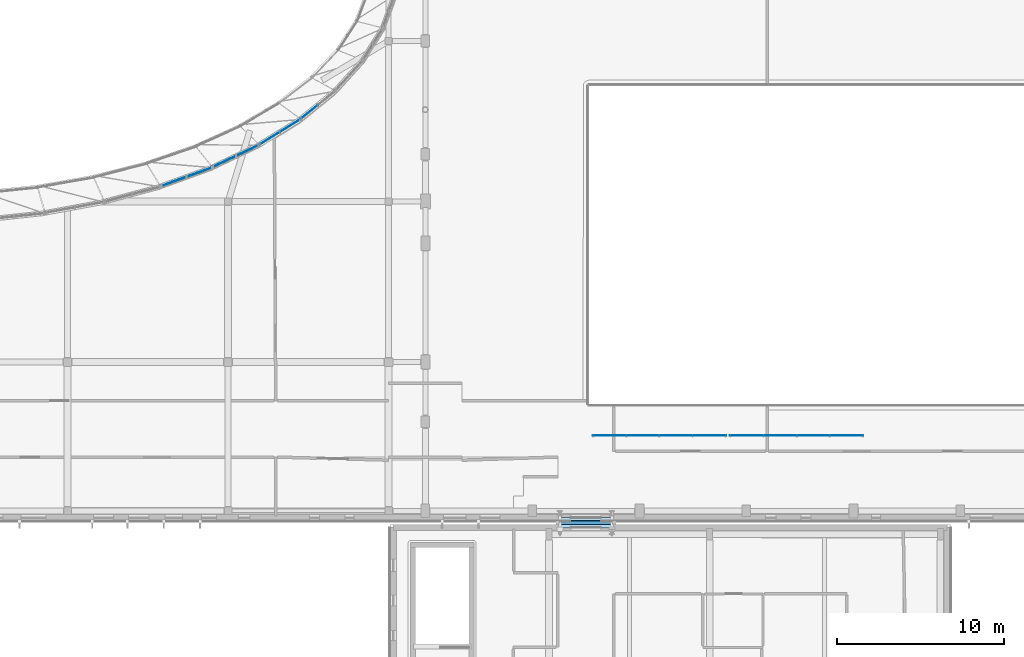
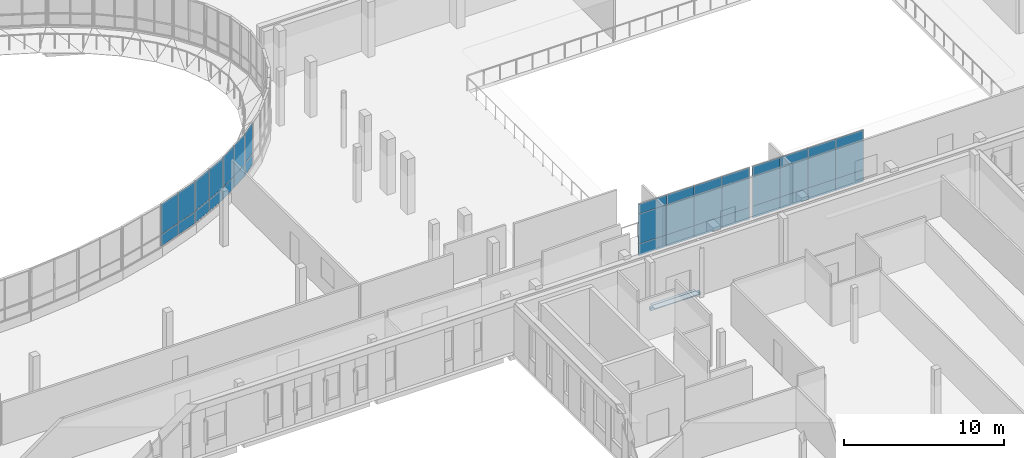
# One storey, part 33 of 84: 40 plates, 1 slab, 6 elements without a shape of their own.
"""IFC4 building model written with IfcOpenShell, lengths in metres."""

from ifc_helpers import new_model, si_unit, direction, frame, origin, origin_2d, place, context, subcontext, project, spatial, polyline, rectangle, outline, extrude, material, layer, layer_set, type_object, element, aggregate, save


model = new_model("IFC4")

# Units and contexts
model_context = context("Model", 3, precision=1e-05, world=origin(), true_north=direction((0.0, 1.0)))
body_context = subcontext(model_context, "Body", "Model", "MODEL_VIEW")
ifc_project = project(units=[si_unit("LENGTHUNIT", "METRE"), si_unit("AREAUNIT", "SQUARE_METRE"), si_unit("VOLUMEUNIT", "CUBIC_METRE"), si_unit("PLANEANGLEUNIT", "RADIAN"), si_unit("MASSUNIT", "GRAM", prefix="KILO")], contexts=[model_context])

# Site, building, storey
site_placement = place(None, origin())
site = spatial("IfcSite", under=ifc_project, at=site_placement, CompositionType="ELEMENT")
building_placement = place(site_placement, origin())
building = spatial("IfcBuilding", under=site, at=building_placement, Name="Mzevani Central Library", CompositionType="ELEMENT")
storey_placement = place(building_placement, frame((0.0, 0.0, 5.39990234375)))
storey = spatial("IfcBuildingStorey", under=building, at=storey_placement, Name="L01", CompositionType="ELEMENT", Elevation=5.39990234375)

# Curtain wall, plates
ifc_material_1 = material(Name="Thermally broken aluminium and Low-E triple glazing", Category="aluminium")
curtain_wall_type_1 = type_object("IfcCurtainWallType", Name="Elliptical Court Unitised Curtain Wall", PredefinedType="NOTDEFINED", material=ifc_material_1)
curtain_wall_1_placement = place(storey_placement, origin())
curtain_wall_1 = element("IfcCurtainWall", 1, at=curtain_wall_1_placement, inside=storey, type_object=curtain_wall_type_1, Name="L01 Elliptical Court Curtain Wall 41", PredefinedType="NOTDEFINED")
ifc_material_2 = material(Name="Thermally broken aluminium AW-6060", Category="aluminium")
ifc_layer_1 = layer(ifc_material_2, 0.0419921875, Name="CW Insulated Spandrel Panel 42")
ifc_layer_set_1 = layer_set([ifc_layer_1], Name="Thermally broken aluminium AW-6060")
plate_type_1 = type_object("IfcPlateType", Name="CW Insulated Spandrel Panel 42", PredefinedType="CURTAIN_PANEL", material=ifc_layer_set_1)
plate_1_placement = place(storey_placement, frame((99.14306640625, 62.7939453125, 0.72021484375), z_axis=(0.0, 0.0, 1.0), x_axis=(0.940105611205, 0.340883322826, 0.0)))
plate_1 = element("IfcPlate", 2, at=plate_1_placement, type_object=plate_type_1, Name="L01 Elliptical Court Curtain Wall 41 Spandrel Panel 1", PredefinedType="CURTAIN_PANEL", context=body_context, shape_type="SweptSolid", body=[
    extrude(rectangle(XDim=1.642822265625, YDim=0.0419921875, at=origin_2d()), origin(), (0.0, 0.0, 1.0), 0.89990234375),
])
plate_2_placement = place(storey_placement, frame((100.6875, 63.35400390625, 0.72021484375), z_axis=(0.0, 0.0, 1.0), x_axis=(0.940105611205, 0.340883322826, 0.0)))
plate_2 = element("IfcPlate", 3, at=plate_2_placement, type_object=plate_type_1, Name="L01 Elliptical Court Curtain Wall 41 Spandrel Panel 3", PredefinedType="CURTAIN_PANEL", context=body_context, shape_type="SweptSolid", body=[
    extrude(rectangle(XDim=1.642822265625, YDim=0.0419921875, at=origin_2d()), origin(), (0.0, 0.0, 1.0), 0.89990234375),
])

curtain_wall_2_placement = place(storey_placement, origin())
curtain_wall_2 = element("IfcCurtainWall", 4, at=curtain_wall_2_placement, inside=storey, type_object=curtain_wall_type_1, Name="L01 Elliptical Court Curtain Wall 42", PredefinedType="NOTDEFINED")
plate_3_placement = place(storey_placement, frame((102.174072265625, 63.989013671875, 0.72021484375), z_axis=(0.0, 0.0, 1.0), x_axis=(0.902948631939, 0.429748493982, 0.0)))
plate_3 = element("IfcPlate", 5, at=plate_3_placement, type_object=plate_type_1, Name="L01 Elliptical Court Curtain Wall 42 Spandrel Panel 1", PredefinedType="CURTAIN_PANEL", context=body_context, shape_type="SweptSolid", body=[
    extrude(rectangle(XDim=1.546630859375, YDim=0.0419921875, at=origin_2d()), origin(), (0.0, 0.0, 1.0), 0.89990234375),
])
plate_4_placement = place(storey_placement, frame((103.570556640625, 64.65380859375, 0.72021484375), z_axis=(0.0, 0.0, 1.0), x_axis=(0.902948631939, 0.429748493982, 0.0)))
plate_4 = element("IfcPlate", 6, at=plate_4_placement, type_object=plate_type_1, Name="L01 Elliptical Court Curtain Wall 42 Spandrel Panel 3", PredefinedType="CURTAIN_PANEL", context=body_context, shape_type="SweptSolid", body=[
    extrude(rectangle(XDim=1.546630859375, YDim=0.0419921875, at=origin_2d()), origin(), (0.0, 0.0, 1.0), 0.89990234375),
])

curtain_wall_type_2 = type_object("IfcCurtainWallType", Name="Reading Hall Northlight Curtain Wall", PredefinedType="NOTDEFINED", material=ifc_material_1)
curtain_wall_3_placement = place(storey_placement, origin())
curtain_wall_3 = element("IfcCurtainWall", 7, at=curtain_wall_3_placement, inside=storey, type_object=curtain_wall_type_2, Name="L01 Elliptical Court Curtain Wall 43", PredefinedType="NOTDEFINED")
plate_5_placement = place(storey_placement, frame((104.892822265625, 65.38623046875, 0.72021484375), z_axis=(0.0, 0.0, 1.0), x_axis=(0.850357735448, 0.526205018755, 0.0)))
plate_5 = element("IfcPlate", 8, at=plate_5_placement, type_object=plate_type_1, Name="L01 Elliptical Court Curtain Wall 43 Spandrel Panel 1", PredefinedType="CURTAIN_PANEL", context=body_context, shape_type="SweptSolid", body=[
    extrude(rectangle(XDim=1.440185546875, YDim=0.0419921875, at=origin_2d()), origin(), (0.0, 0.0, 1.0), 0.89990234375),
])
plate_6_placement = place(storey_placement, frame((106.117431640625, 66.14404296875, 0.72021484375), z_axis=(0.0, 0.0, 1.0), x_axis=(0.850357735448, 0.526205018755, 0.0)))
plate_6 = element("IfcPlate", 9, at=plate_6_placement, type_object=plate_type_1, Name="L01 Elliptical Court Curtain Wall 43 Spandrel Panel 3", PredefinedType="CURTAIN_PANEL", context=body_context, shape_type="SweptSolid", body=[
    extrude(rectangle(XDim=1.440185546875, YDim=0.0419921875, at=origin_2d()), origin(), (0.0, 0.0, 1.0), 0.89990234375),
])

# Curtain wall, plate
curtain_wall_4_placement = place(storey_placement, origin())
curtain_wall_4 = element("IfcCurtainWall", 10, at=curtain_wall_4_placement, inside=storey, type_object=curtain_wall_type_1, Name="L01 Elliptical Court Curtain Wall 44", PredefinedType="NOTDEFINED")
plate_7_placement = place(storey_placement, frame((107.254150390625, 66.961669921875, 0.72021484375), z_axis=(0.0, 0.0, 1.0), x_axis=(0.776231297509, 0.630448231632, 0.0)))
plate_7 = element("IfcPlate", 11, at=plate_7_placement, type_object=plate_type_1, Name="L01 Elliptical Court Curtain Wall 44 Spandrel Panel 1", PredefinedType="CURTAIN_PANEL", context=body_context, shape_type="SweptSolid", body=[
    extrude(rectangle(XDim=1.329345703125, YDim=0.0419921875, at=origin_2d()), origin(), (0.0, 0.0, 1.0), 0.89990234375),
])

# Curtain wall, plates
curtain_wall_type_3 = type_object("IfcCurtainWallType", Name="Interior Atrium Acoustic Glazed Screen", PredefinedType="NOTDEFINED", material=ifc_material_1)
curtain_wall_5_placement = place(storey_placement, origin())
curtain_wall_5 = element("IfcCurtainWall", 12, at=curtain_wall_5_placement, inside=storey, type_object=curtain_wall_type_3, Name="L01 Atrium Acoustic Overlook Screen 1", PredefinedType="NOTDEFINED")
ifc_material_3 = material(Name="Low-E triple glazing glass", Category="glass")
ifc_layer_2 = layer(ifc_material_3, 0.02197265625, Name="CW Interior Atrium Glazed Panel 22")
ifc_layer_set_2 = layer_set([ifc_layer_2], Name="Low-E triple glazing glass")
plate_type_2 = type_object("IfcPlateType", Name="CW Interior Atrium Glazed Panel 22", PredefinedType="CURTAIN_PANEL", material=ifc_layer_set_2)
plate_8_placement = place(storey_placement, frame((125.199951171875, 47.60009765625, 0.000244140625), z_axis=(0.0, 0.0, 1.0), x_axis=(1.0, 0.0, 0.0)))
plate_8 = element("IfcPlate", 13, at=plate_8_placement, type_object=plate_type_2, Name="L01 Atrium Acoustic Overlook Screen 1 Vision Panel 1", PredefinedType="CURTAIN_PANEL", context=body_context, shape_type="SweptSolid", body=[
    extrude(rectangle(XDim=2.0, YDim=0.02197265625, at=origin_2d()), origin(), (0.0, 0.0, 1.0), 0.89990234375),
])
plate_9_placement = place(storey_placement, frame((125.199951171875, 47.60009765625, 0.900146484375), z_axis=(0.0, 0.0, 1.0), x_axis=(1.0, 0.0, 0.0)))
plate_9 = element("IfcPlate", 14, at=plate_9_placement, type_object=plate_type_2, Name="L01 Atrium Acoustic Overlook Screen 1 Vision Panel 2", PredefinedType="CURTAIN_PANEL", context=body_context, shape_type="SweptSolid", body=[
    extrude(rectangle(XDim=2.0, YDim=0.02197265625, at=origin_2d()), origin(), (0.0, 0.0, 1.0), 2.2900390625),
])
plate_10_placement = place(storey_placement, frame((125.199951171875, 47.60009765625, 3.190185546875), z_axis=(0.0, 0.0, 1.0), x_axis=(1.0, 0.0, 0.0)))
plate_10 = element("IfcPlate", 15, at=plate_10_placement, type_object=plate_type_2, Name="L01 Atrium Acoustic Overlook Screen 1 Vision Panel 3", PredefinedType="CURTAIN_PANEL", context=body_context, shape_type="SweptSolid", body=[
    extrude(rectangle(XDim=2.0, YDim=0.02197265625, at=origin_2d()), origin(), (0.0, 0.0, 1.0), 0.75),
])
plate_11_placement = place(storey_placement, frame((127.199951171875, 47.60009765625, 0.000244140625), z_axis=(0.0, 0.0, 1.0), x_axis=(1.0, 0.0, 0.0)))
plate_11 = element("IfcPlate", 16, at=plate_11_placement, type_object=plate_type_2, Name="L01 Atrium Acoustic Overlook Screen 1 Vision Panel 4", PredefinedType="CURTAIN_PANEL", context=body_context, shape_type="SweptSolid", body=[
    extrude(rectangle(XDim=2.0, YDim=0.02197265625, at=origin_2d()), origin(), (0.0, 0.0, 1.0), 0.89990234375),
])
plate_12_placement = place(storey_placement, frame((127.199951171875, 47.60009765625, 0.900146484375), z_axis=(0.0, 0.0, 1.0), x_axis=(1.0, 0.0, 0.0)))
plate_12 = element("IfcPlate", 17, at=plate_12_placement, type_object=plate_type_2, Name="L01 Atrium Acoustic Overlook Screen 1 Vision Panel 5", PredefinedType="CURTAIN_PANEL", context=body_context, shape_type="SweptSolid", body=[
    extrude(rectangle(XDim=2.0, YDim=0.02197265625, at=origin_2d()), origin(), (0.0, 0.0, 1.0), 2.2900390625),
])
plate_13_placement = place(storey_placement, frame((127.199951171875, 47.60009765625, 3.190185546875), z_axis=(0.0, 0.0, 1.0), x_axis=(1.0, 0.0, 0.0)))
plate_13 = element("IfcPlate", 18, at=plate_13_placement, type_object=plate_type_2, Name="L01 Atrium Acoustic Overlook Screen 1 Vision Panel 6", PredefinedType="CURTAIN_PANEL", context=body_context, shape_type="SweptSolid", body=[
    extrude(rectangle(XDim=2.0, YDim=0.02197265625, at=origin_2d()), origin(), (0.0, 0.0, 1.0), 0.75),
])
plate_14_placement = place(storey_placement, frame((129.199951171875, 47.60009765625, 0.000244140625), z_axis=(0.0, 0.0, 1.0), x_axis=(1.0, 0.0, 0.0)))
plate_14 = element("IfcPlate", 19, at=plate_14_placement, type_object=plate_type_2, Name="L01 Atrium Acoustic Overlook Screen 1 Vision Panel 7", PredefinedType="CURTAIN_PANEL", context=body_context, shape_type="SweptSolid", body=[
    extrude(rectangle(XDim=2.0, YDim=0.02197265625, at=origin_2d()), origin(), (0.0, 0.0, 1.0), 0.89990234375),
])
plate_15_placement = place(storey_placement, frame((129.199951171875, 47.60009765625, 0.900146484375), z_axis=(0.0, 0.0, 1.0), x_axis=(1.0, 0.0, 0.0)))
plate_15 = element("IfcPlate", 20, at=plate_15_placement, type_object=plate_type_2, Name="L01 Atrium Acoustic Overlook Screen 1 Vision Panel 8", PredefinedType="CURTAIN_PANEL", context=body_context, shape_type="SweptSolid", body=[
    extrude(rectangle(XDim=2.0, YDim=0.02197265625, at=origin_2d()), origin(), (0.0, 0.0, 1.0), 2.2900390625),
])
plate_16_placement = place(storey_placement, frame((129.199951171875, 47.60009765625, 3.190185546875), z_axis=(0.0, 0.0, 1.0), x_axis=(1.0, 0.0, 0.0)))
plate_16 = element("IfcPlate", 21, at=plate_16_placement, type_object=plate_type_2, Name="L01 Atrium Acoustic Overlook Screen 1 Vision Panel 9", PredefinedType="CURTAIN_PANEL", context=body_context, shape_type="SweptSolid", body=[
    extrude(rectangle(XDim=2.0, YDim=0.02197265625, at=origin_2d()), origin(), (0.0, 0.0, 1.0), 0.75),
])
plate_17_placement = place(storey_placement, frame((131.199951171875, 47.60009765625, 0.000244140625), z_axis=(0.0, 0.0, 1.0), x_axis=(1.0, 0.0, 0.0)))
plate_17 = element("IfcPlate", 22, at=plate_17_placement, type_object=plate_type_2, Name="L01 Atrium Acoustic Overlook Screen 1 Vision Panel 10", PredefinedType="CURTAIN_PANEL", context=body_context, shape_type="SweptSolid", body=[
    extrude(rectangle(XDim=2.0, YDim=0.02197265625, at=origin_2d()), origin(), (0.0, 0.0, 1.0), 0.89990234375),
])
plate_18_placement = place(storey_placement, frame((131.199951171875, 47.60009765625, 0.900146484375), z_axis=(0.0, 0.0, 1.0), x_axis=(1.0, 0.0, 0.0)))
plate_18 = element("IfcPlate", 23, at=plate_18_placement, type_object=plate_type_2, Name="L01 Atrium Acoustic Overlook Screen 1 Vision Panel 11", PredefinedType="CURTAIN_PANEL", context=body_context, shape_type="SweptSolid", body=[
    extrude(rectangle(XDim=2.0, YDim=0.02197265625, at=origin_2d()), origin(), (0.0, 0.0, 1.0), 2.2900390625),
])
plate_19_placement = place(storey_placement, frame((131.199951171875, 47.60009765625, 3.190185546875), z_axis=(0.0, 0.0, 1.0), x_axis=(1.0, 0.0, 0.0)))
plate_19 = element("IfcPlate", 24, at=plate_19_placement, type_object=plate_type_2, Name="L01 Atrium Acoustic Overlook Screen 1 Vision Panel 12", PredefinedType="CURTAIN_PANEL", context=body_context, shape_type="SweptSolid", body=[
    extrude(rectangle(XDim=2.0, YDim=0.02197265625, at=origin_2d()), origin(), (0.0, 0.0, 1.0), 0.75),
])
aggregate(curtain_wall_5, [plate_8, plate_9, plate_10, plate_11, plate_12, plate_13, plate_14, plate_15, plate_16, plate_17, plate_18, plate_19])

curtain_wall_6_placement = place(storey_placement, origin())
curtain_wall_6 = element("IfcCurtainWall", 25, at=curtain_wall_6_placement, inside=storey, type_object=curtain_wall_type_3, Name="L01 Atrium Acoustic Overlook Screen 2", PredefinedType="NOTDEFINED")
plate_20_placement = place(storey_placement, frame((133.39990234375, 47.60009765625, 0.000244140625), z_axis=(0.0, 0.0, 1.0), x_axis=(1.0, 0.0, 0.0)))
plate_20 = element("IfcPlate", 26, at=plate_20_placement, type_object=plate_type_2, Name="L01 Atrium Acoustic Overlook Screen 2 Vision Panel 1", PredefinedType="CURTAIN_PANEL", context=body_context, shape_type="SweptSolid", body=[
    extrude(rectangle(XDim=2.0, YDim=0.02197265625, at=origin_2d()), origin(), (0.0, 0.0, 1.0), 0.89990234375),
])
plate_21_placement = place(storey_placement, frame((133.39990234375, 47.60009765625, 0.900146484375), z_axis=(0.0, 0.0, 1.0), x_axis=(1.0, 0.0, 0.0)))
plate_21 = element("IfcPlate", 27, at=plate_21_placement, type_object=plate_type_2, Name="L01 Atrium Acoustic Overlook Screen 2 Vision Panel 2", PredefinedType="CURTAIN_PANEL", context=body_context, shape_type="SweptSolid", body=[
    extrude(rectangle(XDim=2.0, YDim=0.02197265625, at=origin_2d()), origin(), (0.0, 0.0, 1.0), 2.2900390625),
])
plate_22_placement = place(storey_placement, frame((133.39990234375, 47.60009765625, 3.190185546875), z_axis=(0.0, 0.0, 1.0), x_axis=(1.0, 0.0, 0.0)))
plate_22 = element("IfcPlate", 28, at=plate_22_placement, type_object=plate_type_2, Name="L01 Atrium Acoustic Overlook Screen 2 Vision Panel 3", PredefinedType="CURTAIN_PANEL", context=body_context, shape_type="SweptSolid", body=[
    extrude(rectangle(XDim=2.0, YDim=0.02197265625, at=origin_2d()), origin(), (0.0, 0.0, 1.0), 0.75),
])
plate_23_placement = place(storey_placement, frame((135.39990234375, 47.60009765625, 0.000244140625), z_axis=(0.0, 0.0, 1.0), x_axis=(1.0, 0.0, 0.0)))
plate_23 = element("IfcPlate", 29, at=plate_23_placement, type_object=plate_type_2, Name="L01 Atrium Acoustic Overlook Screen 2 Vision Panel 4", PredefinedType="CURTAIN_PANEL", context=body_context, shape_type="SweptSolid", body=[
    extrude(rectangle(XDim=2.0, YDim=0.02197265625, at=origin_2d()), origin(), (0.0, 0.0, 1.0), 0.89990234375),
])
plate_24_placement = place(storey_placement, frame((135.39990234375, 47.60009765625, 0.900146484375), z_axis=(0.0, 0.0, 1.0), x_axis=(1.0, 0.0, 0.0)))
plate_24 = element("IfcPlate", 30, at=plate_24_placement, type_object=plate_type_2, Name="L01 Atrium Acoustic Overlook Screen 2 Vision Panel 5", PredefinedType="CURTAIN_PANEL", context=body_context, shape_type="SweptSolid", body=[
    extrude(rectangle(XDim=2.0, YDim=0.02197265625, at=origin_2d()), origin(), (0.0, 0.0, 1.0), 2.2900390625),
])
plate_25_placement = place(storey_placement, frame((135.39990234375, 47.60009765625, 3.190185546875), z_axis=(0.0, 0.0, 1.0), x_axis=(1.0, 0.0, 0.0)))
plate_25 = element("IfcPlate", 31, at=plate_25_placement, type_object=plate_type_2, Name="L01 Atrium Acoustic Overlook Screen 2 Vision Panel 6", PredefinedType="CURTAIN_PANEL", context=body_context, shape_type="SweptSolid", body=[
    extrude(rectangle(XDim=2.0, YDim=0.02197265625, at=origin_2d()), origin(), (0.0, 0.0, 1.0), 0.75),
])
plate_26_placement = place(storey_placement, frame((137.39990234375, 47.60009765625, 0.000244140625), z_axis=(0.0, 0.0, 1.0), x_axis=(1.0, 0.0, 0.0)))
plate_26 = element("IfcPlate", 32, at=plate_26_placement, type_object=plate_type_2, Name="L01 Atrium Acoustic Overlook Screen 2 Vision Panel 7", PredefinedType="CURTAIN_PANEL", context=body_context, shape_type="SweptSolid", body=[
    extrude(rectangle(XDim=2.0, YDim=0.02197265625, at=origin_2d()), origin(), (0.0, 0.0, 1.0), 0.89990234375),
])
plate_27_placement = place(storey_placement, frame((137.39990234375, 47.60009765625, 0.900146484375), z_axis=(0.0, 0.0, 1.0), x_axis=(1.0, 0.0, 0.0)))
plate_27 = element("IfcPlate", 33, at=plate_27_placement, type_object=plate_type_2, Name="L01 Atrium Acoustic Overlook Screen 2 Vision Panel 8", PredefinedType="CURTAIN_PANEL", context=body_context, shape_type="SweptSolid", body=[
    extrude(rectangle(XDim=2.0, YDim=0.02197265625, at=origin_2d()), origin(), (0.0, 0.0, 1.0), 2.2900390625),
])
plate_28_placement = place(storey_placement, frame((137.39990234375, 47.60009765625, 3.190185546875), z_axis=(0.0, 0.0, 1.0), x_axis=(1.0, 0.0, 0.0)))
plate_28 = element("IfcPlate", 34, at=plate_28_placement, type_object=plate_type_2, Name="L01 Atrium Acoustic Overlook Screen 2 Vision Panel 9", PredefinedType="CURTAIN_PANEL", context=body_context, shape_type="SweptSolid", body=[
    extrude(rectangle(XDim=2.0, YDim=0.02197265625, at=origin_2d()), origin(), (0.0, 0.0, 1.0), 0.75),
])
plate_29_placement = place(storey_placement, frame((139.39990234375, 47.60009765625, 0.000244140625), z_axis=(0.0, 0.0, 1.0), x_axis=(1.0, 0.0, 0.0)))
plate_29 = element("IfcPlate", 35, at=plate_29_placement, type_object=plate_type_2, Name="L01 Atrium Acoustic Overlook Screen 2 Vision Panel 10", PredefinedType="CURTAIN_PANEL", context=body_context, shape_type="SweptSolid", body=[
    extrude(rectangle(XDim=2.0, YDim=0.02197265625, at=origin_2d()), origin(), (0.0, 0.0, 1.0), 0.89990234375),
])
plate_30_placement = place(storey_placement, frame((139.39990234375, 47.60009765625, 0.900146484375), z_axis=(0.0, 0.0, 1.0), x_axis=(1.0, 0.0, 0.0)))
plate_30 = element("IfcPlate", 36, at=plate_30_placement, type_object=plate_type_2, Name="L01 Atrium Acoustic Overlook Screen 2 Vision Panel 11", PredefinedType="CURTAIN_PANEL", context=body_context, shape_type="SweptSolid", body=[
    extrude(rectangle(XDim=2.0, YDim=0.02197265625, at=origin_2d()), origin(), (0.0, 0.0, 1.0), 2.2900390625),
])
plate_31_placement = place(storey_placement, frame((139.39990234375, 47.60009765625, 3.190185546875), z_axis=(0.0, 0.0, 1.0), x_axis=(1.0, 0.0, 0.0)))
plate_31 = element("IfcPlate", 37, at=plate_31_placement, type_object=plate_type_2, Name="L01 Atrium Acoustic Overlook Screen 2 Vision Panel 12", PredefinedType="CURTAIN_PANEL", context=body_context, shape_type="SweptSolid", body=[
    extrude(rectangle(XDim=2.0, YDim=0.02197265625, at=origin_2d()), origin(), (0.0, 0.0, 1.0), 0.75),
])
aggregate(curtain_wall_6, [plate_20, plate_21, plate_22, plate_23, plate_24, plate_25, plate_26, plate_27, plate_28, plate_29, plate_30, plate_31])

# Plate
ifc_layer_3 = layer(ifc_material_3, 0.028076171875, Name="CW Triple Glazed Vision Panel 28")
ifc_layer_set_3 = layer_set([ifc_layer_3], Name="Low-E triple glazing glass")
plate_type_3 = type_object("IfcPlateType", Name="CW Triple Glazed Vision Panel 28", PredefinedType="CURTAIN_PANEL", material=ifc_layer_set_3)
plate_32_placement = place(storey_placement, frame((99.14306640625, 62.7939453125, 1.6201171875), z_axis=(0.0, 0.0, 1.0), x_axis=(0.940105611205, 0.340883322826, 0.0)))
plate_32 = element("IfcPlate", 38, at=plate_32_placement, type_object=plate_type_3, Name="L01 Elliptical Court Curtain Wall 41 Vision Panel 2", PredefinedType="CURTAIN_PANEL", context=body_context, shape_type="SweptSolid", body=[
    extrude(rectangle(XDim=1.642822265625, YDim=0.028076171875, at=origin_2d()), origin(), (0.0, 0.0, 1.0), 2.300048828125),
])

plate_33_placement = place(storey_placement, frame((100.6875, 63.35400390625, 1.6201171875), z_axis=(0.0, 0.0, 1.0), x_axis=(0.940105611205, 0.340883322826, 0.0)))
plate_33 = element("IfcPlate", 39, at=plate_33_placement, type_object=plate_type_3, Name="L01 Elliptical Court Curtain Wall 41 Vision Panel 4", PredefinedType="CURTAIN_PANEL", context=body_context, shape_type="SweptSolid", body=[
    extrude(rectangle(XDim=1.642822265625, YDim=0.028076171875, at=origin_2d()), origin(), (0.0, 0.0, 1.0), 2.300048828125),
])

aggregate(curtain_wall_1, [plate_1, plate_32, plate_2, plate_33])

plate_34_placement = place(storey_placement, frame((102.174072265625, 63.989013671875, 1.6201171875), z_axis=(0.0, 0.0, 1.0), x_axis=(0.902948631939, 0.429748493982, 0.0)))
plate_34 = element("IfcPlate", 40, at=plate_34_placement, type_object=plate_type_3, Name="L01 Elliptical Court Curtain Wall 42 Vision Panel 2", PredefinedType="CURTAIN_PANEL", context=body_context, shape_type="SweptSolid", body=[
    extrude(rectangle(XDim=1.546630859375, YDim=0.028076171875, at=origin_2d()), origin(), (0.0, 0.0, 1.0), 2.300048828125),
])

plate_35_placement = place(storey_placement, frame((103.570556640625, 64.65380859375, 1.6201171875), z_axis=(0.0, 0.0, 1.0), x_axis=(0.902948631939, 0.429748493982, 0.0)))
plate_35 = element("IfcPlate", 41, at=plate_35_placement, type_object=plate_type_3, Name="L01 Elliptical Court Curtain Wall 42 Vision Panel 4", PredefinedType="CURTAIN_PANEL", context=body_context, shape_type="SweptSolid", body=[
    extrude(rectangle(XDim=1.546630859375, YDim=0.028076171875, at=origin_2d()), origin(), (0.0, 0.0, 1.0), 2.300048828125),
])

aggregate(curtain_wall_2, [plate_3, plate_34, plate_4, plate_35])

plate_36_placement = place(storey_placement, frame((104.892822265625, 65.38623046875, 1.6201171875), z_axis=(0.0, 0.0, 1.0), x_axis=(0.850357735448, 0.526205018755, 0.0)))
plate_36 = element("IfcPlate", 42, at=plate_36_placement, type_object=plate_type_3, Name="L01 Elliptical Court Curtain Wall 43 Vision Panel 2", PredefinedType="CURTAIN_PANEL", context=body_context, shape_type="SweptSolid", body=[
    extrude(rectangle(XDim=1.440185546875, YDim=0.028076171875, at=origin_2d()), origin(), (0.0, 0.0, 1.0), 2.300048828125),
])

plate_37_placement = place(storey_placement, frame((106.117431640625, 66.14404296875, 1.6201171875), z_axis=(0.0, 0.0, 1.0), x_axis=(0.850357735448, 0.526205018755, 0.0)))
plate_37 = element("IfcPlate", 43, at=plate_37_placement, type_object=plate_type_3, Name="L01 Elliptical Court Curtain Wall 43 Vision Panel 4", PredefinedType="CURTAIN_PANEL", context=body_context, shape_type="SweptSolid", body=[
    extrude(rectangle(XDim=1.440185546875, YDim=0.028076171875, at=origin_2d()), origin(), (0.0, 0.0, 1.0), 2.300048828125),
])

aggregate(curtain_wall_3, [plate_5, plate_36, plate_6, plate_37])

plate_38_placement = place(storey_placement, frame((107.254150390625, 66.961669921875, 1.6201171875), z_axis=(0.0, 0.0, 1.0), x_axis=(0.776231297509, 0.630448231632, 0.0)))
plate_38 = element("IfcPlate", 44, at=plate_38_placement, type_object=plate_type_3, Name="L01 Elliptical Court Curtain Wall 44 Vision Panel 2", PredefinedType="CURTAIN_PANEL", context=body_context, shape_type="SweptSolid", body=[
    extrude(rectangle(XDim=1.329345703125, YDim=0.028076171875, at=origin_2d()), origin(), (0.0, 0.0, 1.0), 2.300048828125),
])

aggregate(curtain_wall_4, [plate_7, plate_38])

# Slab
ifc_material_4 = material(Name="Concrete C35/45", Category="concrete")
ifc_layer_4 = layer(ifc_material_4, 0.239990234375, Name="Seismic Link Bridge Deck 240")
ifc_layer_set_4 = layer_set([ifc_layer_4], Name="Concrete C35/45")
slab_type = type_object("IfcSlabType", Name="Seismic Link Bridge Deck 240", PredefinedType="FLOOR", material=ifc_layer_set_4)
slab_placement = place(storey_placement, frame((0.0, 0.0, -0.239990234375)))
element("IfcSlab", 45, at=slab_placement, inside=storey, type_object=slab_type, Name="L01 Children-Reading Hall Seismic Passage L01 Deck", PredefinedType="FLOOR", context=body_context, shape_type="SweptSolid", body=[
    extrude(outline(polyline([(122.0, 42.300048828125), (125.60009765625, 42.300048828125), (125.60009765625, 42.5), (122.0, 42.5), (122.0, 42.300048828125)])), origin(), (0.0, 0.0, 1.0), 0.239990234375),
])

# Plates
ifc_material_5 = material(Name="Steel S355J2", Category="steel")
ifc_layer_5 = layer(ifc_material_5, 0.035888671875, Name="Truss Splice Flange Plate 36")
ifc_layer_set_5 = layer_set([ifc_layer_5], Name="Steel S355J2")
plate_type_4 = type_object("IfcPlateType", Name="Truss Splice Flange Plate 36", PredefinedType="USERDEFINED", material=ifc_layer_set_5)
for number, where, z_axis, x_axis, name in (
    (46, (123.800048828125, 42.300048828125, -0.03564453125), (0.0, 0.0, 1.0), (1.0, 0.0, 0.0), "L01 Children-Reading Hall Seismic Passage L01 Walkable Seismic Threshold Cover Plate 1"),
    (47, (123.800048828125, 42.5, -0.03564453125), (0.0, 0.0, 1.0), (1.0, 0.0, 0.0), "L01 Children-Reading Hall Seismic Passage L01 Walkable Seismic Threshold Cover Plate 2"),
):
    element("IfcPlate", number, at=place(storey_placement, frame(where, z_axis=z_axis, x_axis=x_axis)), inside=storey, type_object=plate_type_4, Name=name, ObjectType="SPLICE PLATE", PredefinedType="USERDEFINED", context=body_context, shape_type="SweptSolid", body=[
        extrude(rectangle(XDim=3.199951171875, YDim=0.419921875, at=origin_2d()), origin(), (0.0, 0.0, 1.0), 0.035888671875),
    ])

save(model, "model.ifc")
